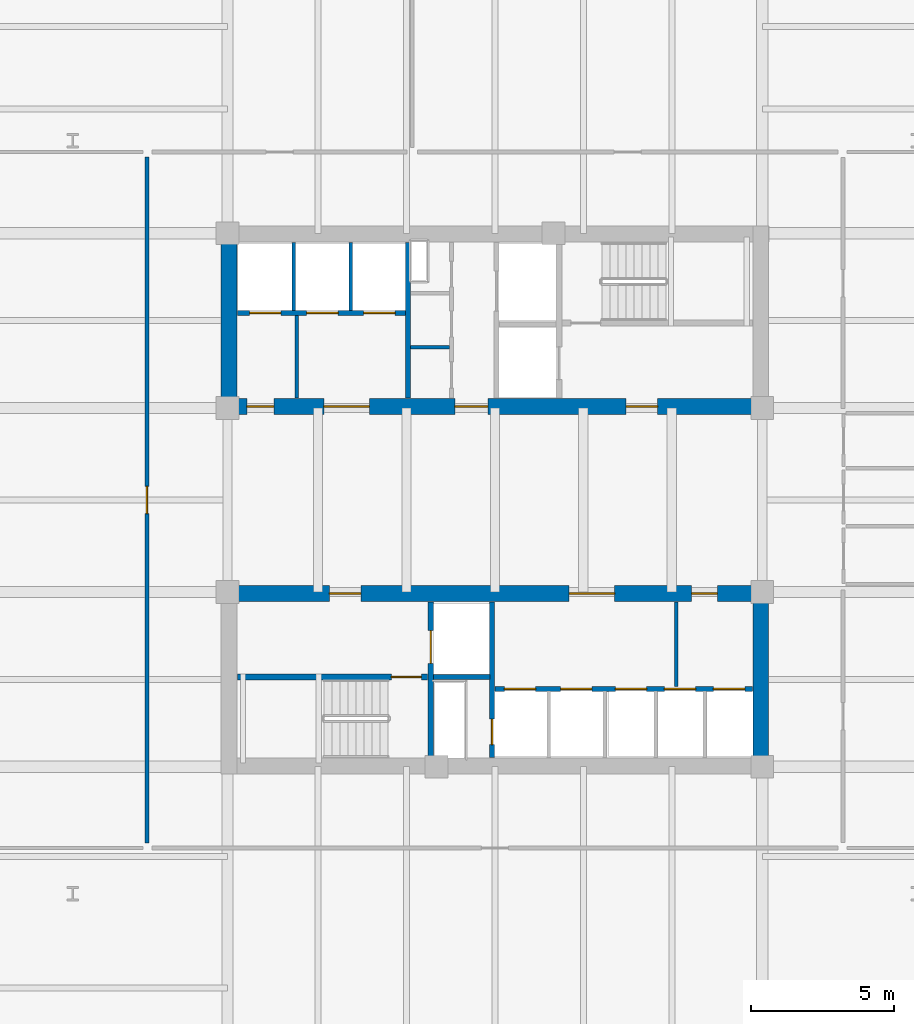
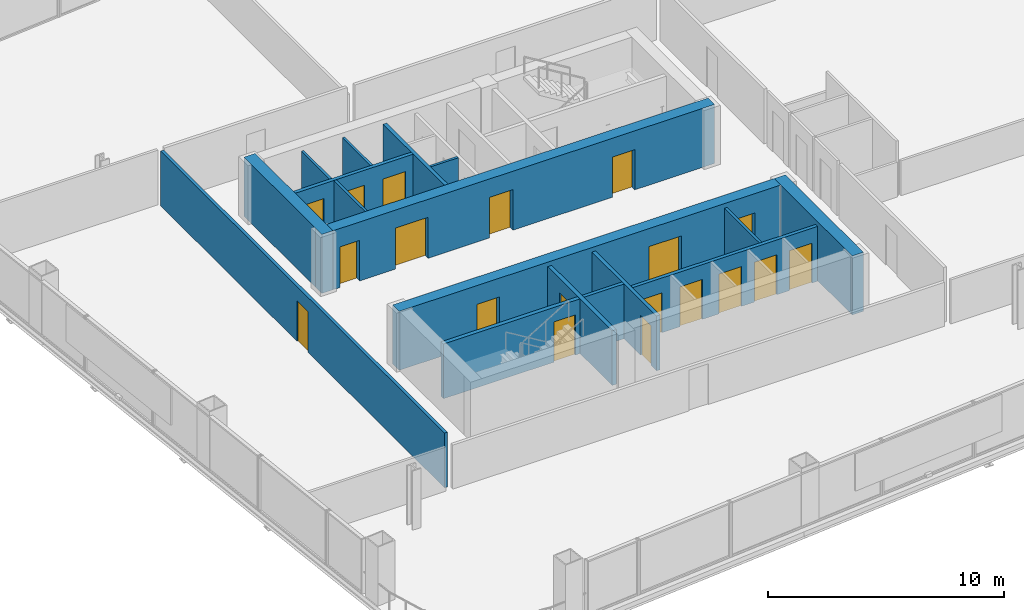
# One storey, part 22 of 27: 19 doors, 17 walls, 19 openings.
"""IFC4 building model written with IfcOpenShell, lengths in metres."""

from ifc_helpers import new_model, si_unit, direction, frame, frame_2d, origin, place, context, subcontext, project, spatial, rectangle, extrude, material, layer, layer_set, type_object, element, fill, save


model = new_model("IFC4")

# Units and contexts
model_context = context("Model", 3, precision=1e-05, world=origin(), true_north=direction((0.0, 1.0)))
body_context = subcontext(model_context, "Body", "Model", "MODEL_VIEW")
ifc_project = project(units=[si_unit("LENGTHUNIT", "METRE"), si_unit("AREAUNIT", "SQUARE_METRE"), si_unit("VOLUMEUNIT", "CUBIC_METRE"), si_unit("PLANEANGLEUNIT", "RADIAN"), si_unit("MASSUNIT", "GRAM", prefix="KILO")], contexts=[model_context])

# Site, building, storey
site_placement = place(None, origin())
site = spatial("IfcSite", under=ifc_project, at=site_placement, CompositionType="ELEMENT")
building_placement = place(site_placement, origin())
building = spatial("IfcBuilding", under=site, at=building_placement, Name="Qhalaya Broadcast Tower", CompositionType="ELEMENT")
storey_placement = place(building_placement, frame((0.0, 0.0, 75.550048828125)))
storey = spatial("IfcBuildingStorey", under=building, at=storey_placement, Name="L21", CompositionType="ELEMENT", Elevation=75.550048828125)

# Wall, opening, door
ifc_material_1 = material(Name="Gypsum Acoustic Partition")
ifc_layer_1 = layer(ifc_material_1, 0.14990234375, Name="Gypsum Acoustic Partition")
ifc_layer_set_1 = layer_set([ifc_layer_1], Name="Gypsum Acoustic Partition")
wall_type_1 = type_object("IfcWallType", Name="Corridor & Tenancy Acoustic Partition 150", PredefinedType="PARTITIONING", material=ifc_layer_set_1)
wall_1_placement = place(storey_placement, frame((-12.199951171875, -11.419921875, 0.0), z_axis=(0.0, 0.0, 1.0), x_axis=(0.0, 1.0, 0.0)))
wall_1 = element("IfcWall", 1, at=wall_1_placement, inside=storey, type_object=wall_type_1, Name="L21 Partition Wall W-COR-04", PredefinedType="PARTITIONING", context=body_context, shape_type="SweptSolid", body=[
    extrude(rectangle(XDim=24.0400390625, YDim=0.14990234375, at=frame_2d((12.02001953125, 0.0))), origin(), (0.0, 0.0, 1.0), 2.829833984375),
])
opening_1_placement = place(wall_1_placement, frame((11.544921875, 0.0, 0.0)))
opening_1 = element("IfcOpeningElement", 2, at=opening_1_placement, cuts=wall_1, Name="Opening D10", PredefinedType="OPENING", context=body_context, shape_type="SweptSolid", body=[
    extrude(rectangle(XDim=0.949951171875, YDim=2.10009765625, at=frame_2d((0.47509765625, 1.050048828125))), frame((0.0, 0.0869140625, 0.0), z_axis=(0.0, -1.0, 0.0), x_axis=(1.0, 0.0, 0.0)), (0.0, 0.0, 1.0), 0.173828125),
])
ifc_material_2 = material(Name="Timber Veneer Acoustic Door", Category="wood")
door_type_1 = type_object("IfcDoorType", Name="Cellular Office & Edit Booth Door D10", OperationType="NOTDEFINED", PredefinedType="DOOR", material=ifc_material_2)
door_1_placement = place(opening_1_placement, origin())
door_1 = element("IfcDoor", 3, at=door_1_placement, inside=storey, type_object=door_type_1, Name="L21 Door D-RM04", OperationType="SINGLE_SWING_RIGHT", OverallHeight=2.10009765625, OverallWidth=0.949951171875, PredefinedType="DOOR", context=body_context, shape_type="SweptSolid", body=[
    extrude(rectangle(XDim=0.949951171875, YDim=2.10009765625, at=frame_2d((0.47509765625, 1.050048828125))), frame((0.0, 0.02490234375, 0.0), z_axis=(0.0, -1.0, 0.0), x_axis=(1.0, 0.0, 0.0)), (0.0, 0.0, 1.0), 0.050048828125),
])
fill(opening_1, door_1)

ifc_material_3 = material(Name="Concrete C50/60", Category="concrete")
ifc_layer_2 = layer(ifc_material_3, 0.199951171875, Name="Concrete C50/60")
ifc_layer_set_2 = layer_set([ifc_layer_2], Name="Concrete C50/60")
wall_type_2 = type_object("IfcWallType", Name="Load-Bearing Stair Shaft Wall 200", PredefinedType="SHEAR", material=ifc_layer_set_2)
wall_2_placement = place(storey_placement, frame((-9.030029296875, -5.60498046875, 0.0), z_axis=(0.0, 0.0, 1.0), x_axis=(1.0, 0.0, 0.0)))
wall_2 = element("IfcWall", 4, at=wall_2_placement, inside=storey, type_object=wall_type_2, Name="L21 Stair Core Shear Wall SCW-ST2", PredefinedType="SHEAR", context=body_context, shape_type="SweptSolid", body=[
    extrude(rectangle(XDim=6.669921875, YDim=0.199951171875, at=frame_2d((3.3349609375, 0.0))), origin(), (0.0, 0.0, 1.0), 2.829833984375),
])
opening_2_placement = place(wall_2_placement, frame((5.39990234375, 0.0, 0.0)))
opening_2 = element("IfcOpeningElement", 5, at=opening_2_placement, cuts=wall_2, Name="Opening D03", PredefinedType="OPENING", context=body_context, shape_type="SweptSolid", body=[
    extrude(rectangle(XDim=1.050048828125, YDim=2.080078125, at=frame_2d((0.52490234375, 1.0400390625))), frame((0.0, 0.112060546875, 0.0), z_axis=(0.0, -1.0, 0.0), x_axis=(1.0, 0.0, 0.0)), (0.0, 0.0, 1.0), 0.223876953125),
])
ifc_material_4 = material(Name="Fire-Rated Steel Door", Category="steel")
door_type_2 = type_object("IfcDoorType", Name="Core Stair Protected Fire Door D03", OperationType="NOTDEFINED", PredefinedType="DOOR", material=ifc_material_4)
door_2_placement = place(opening_2_placement, origin())
door_2 = element("IfcDoor", 6, at=door_2_placement, inside=storey, type_object=door_type_2, Name="L21 Door D-SST2", OperationType="SINGLE_SWING_RIGHT", OverallHeight=2.080078125, OverallWidth=1.050048828125, PredefinedType="DOOR", context=body_context, shape_type="SweptSolid", body=[
    extrude(rectangle(XDim=1.050048828125, YDim=2.080078125, at=frame_2d((0.52490234375, 1.0400390625))), frame((0.0, 0.02490234375, 0.0), z_axis=(0.0, -1.0, 0.0), x_axis=(1.0, 0.0, 0.0)), (0.0, 0.0, 1.0), 0.050048828125),
])
fill(opening_2, door_2)

wall_3_placement = place(storey_placement, frame((-2.25, -8.429931640625, 0.0), z_axis=(0.0, 0.0, 1.0), x_axis=(0.0, 1.0, 0.0)))
wall_3 = element("IfcWall", 7, at=wall_3_placement, inside=storey, type_object=wall_type_2, Name="L21 Stair Core Shear Wall SCW-FF", PredefinedType="SHEAR", context=body_context, shape_type="SweptSolid", body=[
    extrude(rectangle(XDim=5.4599609375, YDim=0.199951171875, at=frame_2d((2.72998046875, 0.0))), origin(), (0.0, 0.0, 1.0), 2.829833984375),
])
opening_3_placement = place(wall_3_placement, frame((3.300048828125, 0.0, 0.0)))
opening_3 = element("IfcOpeningElement", 8, at=opening_3_placement, cuts=wall_3, Name="Opening LD2", PredefinedType="OPENING", context=body_context, shape_type="SweptSolid", body=[
    extrude(rectangle(XDim=1.14990234375, YDim=2.080078125, at=frame_2d((0.574951171875, 1.0400390625))), frame((0.0, 0.112060546875, 0.0), z_axis=(0.0, -1.0, 0.0), x_axis=(1.0, 0.0, 0.0)), (0.0, 0.0, 1.0), 0.223876953125),
])
ifc_material_5 = material(Name="Brushed Stainless Steel Lift Door", Category="steel")
door_type_3 = type_object("IfcDoorType", Name="Firefighting Lift Sliding Landing Door LD2", OperationType="DOUBLE_DOOR_SLIDING", PredefinedType="DOOR", material=ifc_material_5)
door_3_placement = place(opening_3_placement, origin())
door_3 = element("IfcDoor", 9, at=door_3_placement, inside=storey, type_object=door_type_3, Name="L21 Door LD-FF2", OperationType="DOUBLE_DOOR_SLIDING", OverallHeight=2.080078125, OverallWidth=1.14990234375, PredefinedType="DOOR", context=body_context, shape_type="SweptSolid", body=[
    extrude(rectangle(XDim=1.14990234375, YDim=2.080078125, at=frame_2d((0.574951171875, 1.0400390625))), frame((0.0, 0.02490234375, 0.0), z_axis=(0.0, -1.0, 0.0), x_axis=(1.0, 0.0, 0.0)), (0.0, 0.0, 1.0), 0.050048828125),
])
fill(opening_3, door_3)

# Wall, openings, doors
ifc_material_6 = material(Name="Concrete C60/75", Category="concrete")
ifc_layer_3 = layer(ifc_material_6, 0.550048828125, Name="Concrete C60/75")
ifc_layer_set_3 = layer_set([ifc_layer_3], Name="Concrete C60/75")
wall_type_3 = type_object("IfcWallType", Name="Lower Split-Core Shear Wall 550", PredefinedType="SHEAR", material=ifc_layer_set_3)
wall_4_placement = place(storey_placement, frame((-9.60009765625, 3.875, 0.0), z_axis=(0.0, 0.0, 1.0), x_axis=(1.0, 0.0, 0.0)))
wall_4 = element("IfcWall", 10, at=wall_4_placement, inside=storey, type_object=wall_type_3, Name="L21 Split-Core Shear Wall CW-NS", PredefinedType="SHEAR", context=body_context, shape_type="SweptSolid", body=[
    extrude(rectangle(XDim=19.2001953125, YDim=0.550048828125, at=frame_2d((9.60009765625, 0.0))), origin(), (0.0, 0.0, 1.0), 3.050048828125),
])
opening_4_placement = place(wall_4_placement, frame((14.199951171875, 0.0, 0.0)))
opening_4 = element("IfcOpeningElement", 11, at=opening_4_placement, cuts=wall_4, Name="Opening D04", PredefinedType="OPENING", context=body_context, shape_type="SweptSolid", body=[
    extrude(rectangle(XDim=1.10009765625, YDim=2.080078125, at=frame_2d((0.550048828125, 1.0400390625))), frame((0.0, 0.287109375, 0.0), z_axis=(0.0, -1.0, 0.0), x_axis=(1.0, 0.0, 0.0)), (0.0, 0.0, 1.0), 0.573974609375),
])
opening_5_placement = place(wall_4_placement, frame((8.199951171875, 0.0, 0.0)))
opening_5 = element("IfcOpeningElement", 12, at=opening_5_placement, cuts=wall_4, Name="Opening D05", PredefinedType="OPENING", context=body_context, shape_type="SweptSolid", body=[
    extrude(rectangle(XDim=1.14990234375, YDim=2.10009765625, at=frame_2d((0.574951171875, 1.050048828125))), frame((0.0, 0.287109375, 0.0), z_axis=(0.0, -1.0, 0.0), x_axis=(1.0, 0.0, 0.0)), (0.0, 0.0, 1.0), 0.573974609375),
])
opening_6_placement = place(wall_4_placement, frame((0.89990234375, 0.0, 0.0)))
opening_6 = element("IfcOpeningElement", 13, at=opening_6_placement, cuts=wall_4, Name="Opening D10", PredefinedType="OPENING", context=body_context, shape_type="SweptSolid", body=[
    extrude(rectangle(XDim=0.949951171875, YDim=2.10009765625, at=frame_2d((0.47509765625, 1.050048828125))), frame((0.0, 0.287109375, 0.0), z_axis=(0.0, -1.0, 0.0), x_axis=(1.0, 0.0, 0.0)), (0.0, 0.0, 1.0), 0.573974609375),
])
opening_7_placement = place(wall_4_placement, frame((3.60009765625, 0.0, 0.0)))
opening_7 = element("IfcOpeningElement", 14, at=opening_7_placement, cuts=wall_4, Name="Opening D07", PredefinedType="OPENING", context=body_context, shape_type="SweptSolid", body=[
    extrude(rectangle(XDim=1.60009765625, YDim=2.1201171875, at=frame_2d((0.800048828125, 1.06005859375))), frame((0.0, 0.287109375, 0.0), z_axis=(0.0, -1.0, 0.0), x_axis=(1.0, 0.0, 0.0)), (0.0, 0.0, 1.0), 0.573974609375),
])
door_4_placement = place(opening_6_placement, origin())
door_4 = element("IfcDoor", 15, at=door_4_placement, inside=storey, type_object=door_type_1, Name="L21 Door D-NLPNT", OperationType="SINGLE_SWING_RIGHT", OverallHeight=2.10009765625, OverallWidth=0.949951171875, PredefinedType="DOOR", context=body_context, shape_type="SweptSolid", body=[
    extrude(rectangle(XDim=0.949951171875, YDim=2.10009765625, at=frame_2d((0.47509765625, 1.050048828125))), frame((0.0, 0.02490234375, 0.0), z_axis=(0.0, -1.0, 0.0), x_axis=(1.0, 0.0, 0.0)), (0.0, 0.0, 1.0), 0.050048828125),
])
fill(opening_6, door_4)
door_type_4 = type_object("IfcDoorType", Name="Firefighting Lobby Rated Door D04", OperationType="NOTDEFINED", PredefinedType="DOOR", material=ifc_material_4)
door_5_placement = place(opening_4_placement, origin())
door_5 = element("IfcDoor", 16, at=door_5_placement, inside=storey, type_object=door_type_4, Name="L21 Door D-NFF", OperationType="SINGLE_SWING_RIGHT", OverallHeight=2.080078125, OverallWidth=1.10009765625, PredefinedType="DOOR", context=body_context, shape_type="SweptSolid", body=[
    extrude(rectangle(XDim=1.10009765625, YDim=2.080078125, at=frame_2d((0.550048828125, 1.0400390625))), frame((0.0, 0.02490234375, 0.0), z_axis=(0.0, -1.0, 0.0), x_axis=(1.0, 0.0, 0.0)), (0.0, 0.0, 1.0), 0.050048828125),
])
fill(opening_4, door_5)
ifc_material_7 = material(Name="Anodised Aluminium Glazed Door", Category="aluminium")
door_type_5 = type_object("IfcDoorType", Name="Passenger Lift Lobby Double Glazed Door D07", OperationType="DOUBLE_DOOR_SINGLE_SWING", PredefinedType="DOOR", material=ifc_material_7)
door_6_placement = place(opening_7_placement, origin())
door_6 = element("IfcDoor", 17, at=door_6_placement, inside=storey, type_object=door_type_5, Name="L21 Door D-NPLL", OperationType="DOUBLE_DOOR_SINGLE_SWING", OverallHeight=2.1201171875, OverallWidth=1.60009765625, PredefinedType="DOOR", context=body_context, shape_type="SweptSolid", body=[
    extrude(rectangle(XDim=1.60009765625, YDim=2.1201171875, at=frame_2d((0.800048828125, 1.06005859375))), frame((0.0, 0.02490234375, 0.0), z_axis=(0.0, -1.0, 0.0), x_axis=(1.0, 0.0, 0.0)), (0.0, 0.0, 1.0), 0.050048828125),
])
fill(opening_7, door_6)
door_type_6 = type_object("IfcDoorType", Name="Refuge & Plant Room Fire Door D05", OperationType="NOTDEFINED", PredefinedType="DOOR", material=ifc_material_4)
door_7_placement = place(opening_5_placement, origin())
door_7 = element("IfcDoor", 18, at=door_7_placement, inside=storey, type_object=door_type_6, Name="L21 Door D-NSVL", OperationType="SINGLE_SWING_LEFT", OverallHeight=2.10009765625, OverallWidth=1.14990234375, PredefinedType="DOOR", context=body_context, shape_type="SweptSolid", body=[
    extrude(rectangle(XDim=1.14990234375, YDim=2.10009765625, at=frame_2d((0.574951171875, 1.050048828125))), frame((0.0, 0.02490234375, 0.0), z_axis=(0.0, -1.0, 0.0), x_axis=(1.0, 0.0, 0.0)), (0.0, 0.0, 1.0), 0.050048828125),
])
fill(opening_5, door_7)

# Wall
wall_5_placement = place(storey_placement, frame((-9.324951171875, 3.60009765625, 0.0), z_axis=(0.0, 0.0, 1.0), x_axis=(0.0, 1.0, 0.0)))
element("IfcWall", 19, at=wall_5_placement, inside=storey, type_object=wall_type_3, Name="L21 Split-Core Shear Wall CW-NW", PredefinedType="SHEAR", context=body_context, shape_type="SweptSolid", body=[
    extrude(rectangle(XDim=6.599853515625, YDim=0.550048828125, at=frame_2d((3.2998046875, 0.0))), origin(), (0.0, 0.0, 1.0), 3.050048828125),
])

# Wall, openings, doors
wall_6_placement = place(storey_placement, frame((-9.60009765625, -2.675048828125, 0.0), z_axis=(0.0, 0.0, 1.0), x_axis=(1.0, 0.0, 0.0)))
wall_6 = element("IfcWall", 20, at=wall_6_placement, inside=storey, type_object=wall_type_3, Name="L21 Split-Core Shear Wall CW-SN", PredefinedType="SHEAR", context=body_context, shape_type="SweptSolid", body=[
    extrude(rectangle(XDim=19.2001953125, YDim=0.550048828125, at=frame_2d((9.60009765625, 0.0))), origin(), (0.0, 0.0, 1.0), 3.050048828125),
])
opening_8_placement = place(wall_6_placement, frame((3.800048828125, 0.0, 0.0)))
opening_8 = element("IfcOpeningElement", 21, at=opening_8_placement, cuts=wall_6, Name="Opening D04", PredefinedType="OPENING", context=body_context, shape_type="SweptSolid", body=[
    extrude(rectangle(XDim=1.10009765625, YDim=2.080078125, at=frame_2d((0.550048828125, 1.0400390625))), frame((0.0, 0.287109375, 0.0), z_axis=(0.0, -1.0, 0.0), x_axis=(1.0, 0.0, 0.0)), (0.0, 0.0, 1.0), 0.573974609375),
])
opening_9_placement = place(wall_6_placement, frame((12.199951171875, 0.0, 0.0)))
opening_9 = element("IfcOpeningElement", 22, at=opening_9_placement, cuts=wall_6, Name="Opening D07", PredefinedType="OPENING", context=body_context, shape_type="SweptSolid", body=[
    extrude(rectangle(XDim=1.60009765625, YDim=2.1201171875, at=frame_2d((0.800048828125, 1.06005859375))), frame((0.0, 0.287109375, 0.0), z_axis=(0.0, -1.0, 0.0), x_axis=(1.0, 0.0, 0.0)), (0.0, 0.0, 1.0), 0.573974609375),
])
opening_10_placement = place(wall_6_placement, frame((16.5, 0.0, 0.0)))
opening_10 = element("IfcOpeningElement", 23, at=opening_10_placement, cuts=wall_6, Name="Opening D06", PredefinedType="OPENING", context=body_context, shape_type="SweptSolid", body=[
    extrude(rectangle(XDim=0.89990234375, YDim=2.050048828125, at=frame_2d((0.449951171875, 1.02490234375))), frame((0.0, 0.287109375, 0.0), z_axis=(0.0, -1.0, 0.0), x_axis=(1.0, 0.0, 0.0)), (0.0, 0.0, 1.0), 0.573974609375),
])
door_8_placement = place(opening_8_placement, origin())
door_8 = element("IfcDoor", 24, at=door_8_placement, inside=storey, type_object=door_type_4, Name="L21 Door D-SFF", OperationType="SINGLE_SWING_LEFT", OverallHeight=2.080078125, OverallWidth=1.10009765625, PredefinedType="DOOR", context=body_context, shape_type="SweptSolid", body=[
    extrude(rectangle(XDim=1.10009765625, YDim=2.080078125, at=frame_2d((0.550048828125, 1.0400390625))), frame((0.0, 0.02490234375, 0.0), z_axis=(0.0, -1.0, 0.0), x_axis=(1.0, 0.0, 0.0)), (0.0, 0.0, 1.0), 0.050048828125),
])
fill(opening_8, door_8)
door_9_placement = place(opening_9_placement, origin())
door_9 = element("IfcDoor", 25, at=door_9_placement, inside=storey, type_object=door_type_5, Name="L21 Door D-SPLL", OperationType="DOUBLE_DOOR_SINGLE_SWING", OverallHeight=2.1201171875, OverallWidth=1.60009765625, PredefinedType="DOOR", context=body_context, shape_type="SweptSolid", body=[
    extrude(rectangle(XDim=1.60009765625, YDim=2.1201171875, at=frame_2d((0.800048828125, 1.06005859375))), frame((0.0, 0.02490234375, 0.0), z_axis=(0.0, -1.0, 0.0), x_axis=(1.0, 0.0, 0.0)), (0.0, 0.0, 1.0), 0.050048828125),
])
fill(opening_9, door_9)
door_type_7 = type_object("IfcDoorType", Name="Riser & Electrical Shaft Access Door D06", OperationType="NOTDEFINED", PredefinedType="DOOR", material=ifc_material_4)
door_10_placement = place(opening_10_placement, origin())
door_10 = element("IfcDoor", 26, at=door_10_placement, inside=storey, type_object=door_type_7, Name="L21 Door D-SSCST", OperationType="SINGLE_SWING_LEFT", OverallHeight=2.050048828125, OverallWidth=0.89990234375, PredefinedType="DOOR", context=body_context, shape_type="SweptSolid", body=[
    extrude(rectangle(XDim=0.89990234375, YDim=2.050048828125, at=frame_2d((0.449951171875, 1.02490234375))), frame((0.0, 0.02490234375, 0.0), z_axis=(0.0, -1.0, 0.0), x_axis=(1.0, 0.0, 0.0)), (0.0, 0.0, 1.0), 0.050048828125),
])
fill(opening_10, door_10)

# Walls
wall_7_placement = place(storey_placement, frame((9.324951171875, -9.0, 0.0), z_axis=(0.0, 0.0, 1.0), x_axis=(0.0, 1.0, 0.0)))
element("IfcWall", 27, at=wall_7_placement, inside=storey, type_object=wall_type_3, Name="L21 Split-Core Shear Wall CW-SE", PredefinedType="SHEAR", context=body_context, shape_type="SweptSolid", body=[
    extrude(rectangle(XDim=6.60009765625, YDim=0.550048828125, at=frame_2d((3.300048828125, 0.0))), origin(), (0.0, 0.0, 1.0), 3.050048828125),
])
ifc_layer_4 = layer(ifc_material_1, 0.1201171875, Name="Gypsum Acoustic Partition")
ifc_layer_set_4 = layer_set([ifc_layer_4], Name="Gypsum Acoustic Partition")
wall_type_4 = type_object("IfcWallType", Name="Office, Booth & Sanitary Partition 120", PredefinedType="PARTITIONING", material=ifc_layer_set_4)
wall_8_placement = place(storey_placement, frame((-2.9599609375, 5.949951171875, 0.0), z_axis=(0.0, 0.0, 1.0), x_axis=(1.0, 0.0, 0.0)))
element("IfcWall", 28, at=wall_8_placement, inside=storey, type_object=wall_type_4, Name="L21 Partition Wall NCW-VB1", PredefinedType="PARTITIONING", context=body_context, shape_type="SweptSolid", body=[
    extrude(rectangle(XDim=1.35986328125, YDim=0.1201171875, at=frame_2d((0.679931640625, 0.0))), origin(), (0.0, 0.0, 1.0), 2.829833984375),
])
for number, where, z_axis, x_axis, name in (
    (29, (-7.06005859375, 7.25, 0.0), (0.0, 0.0, 1.0), (0.0, 1.0, 0.0), "L21 Partition Wall NCW-PD1"),
    (30, (-5.06005859375, 7.25, 0.0), (0.0, 0.0, 1.0), (0.0, 1.0, 0.0), "L21 Partition Wall NCW-PD2"),
):
    element("IfcWall", number, at=place(storey_placement, frame(where, z_axis=z_axis, x_axis=x_axis)), inside=storey, type_object=wall_type_4, Name=name, PredefinedType="PARTITIONING", context=body_context, shape_type="SweptSolid", body=[
        extrude(rectangle(XDim=2.3798828125, YDim=0.1201171875, at=frame_2d((1.18994140625, 0.0))), origin(), (0.0, 0.0, 1.0), 2.829833984375),
    ])
wall_9_placement = place(storey_placement, frame((-6.949951171875, 4.169921875, 0.0), z_axis=(0.0, 0.0, 1.0), x_axis=(0.0, 1.0, 0.0)))
element("IfcWall", 31, at=wall_9_placement, inside=storey, type_object=wall_type_4, Name="L21 Partition Wall NCW-LKB", PredefinedType="PARTITIONING", context=body_context, shape_type="SweptSolid", body=[
    extrude(rectangle(XDim=2.89013671875, YDim=0.1201171875, at=frame_2d((1.445068359375, 0.0))), origin(), (0.0, 0.0, 1.0), 2.829833984375),
])
wall_10_placement = place(storey_placement, frame((6.35009765625, -5.93994140625, 0.0), z_axis=(0.0, 0.0, 1.0), x_axis=(0.0, 1.0, 0.0)))
element("IfcWall", 32, at=wall_10_placement, inside=storey, type_object=wall_type_4, Name="L21 Partition Wall SCW-LKB", PredefinedType="PARTITIONING", context=body_context, shape_type="SweptSolid", body=[
    extrude(rectangle(XDim=2.969970703125, YDim=0.1201171875, at=frame_2d((1.48486328125, 0.0))), origin(), (0.0, 0.0, 1.0), 2.829833984375),
])
ifc_layer_5 = layer(ifc_material_1, 0.175048828125, Name="Gypsum Acoustic Partition")
ifc_layer_set_5 = layer_set([ifc_layer_5], Name="Gypsum Acoustic Partition")
wall_type_5 = type_object("IfcWallType", Name="Shaft & Riser Fire Partition 175", PredefinedType="PARTITIONING", material=ifc_layer_set_5)
wall_11_placement = place(storey_placement, frame((-3.0400390625, 4.169921875, 0.0), z_axis=(0.0, 0.0, 1.0), x_axis=(0.0, 1.0, 0.0)))
element("IfcWall", 33, at=wall_11_placement, inside=storey, type_object=wall_type_5, Name="L21 Partition Wall NCW-VRW", PredefinedType="PARTITIONING", context=body_context, shape_type="SweptSolid", body=[
    extrude(rectangle(XDim=5.4599609375, YDim=0.175048828125, at=frame_2d((2.72998046875, 0.0))), origin(), (0.0, 0.0, 1.0), 2.829833984375),
])

# Wall, openings, doors
wall_12_placement = place(storey_placement, frame((-9.030029296875, 7.159912109375, 0.0), z_axis=(0.0, 0.0, 1.0), x_axis=(1.0, 0.0, 0.0)))
wall_12 = element("IfcWall", 34, at=wall_12_placement, inside=storey, type_object=wall_type_5, Name="L21 Partition Wall NCW-PLB", PredefinedType="PARTITIONING", context=body_context, shape_type="SweptSolid", body=[
    extrude(rectangle(XDim=5.909912109375, YDim=0.175048828125, at=frame_2d((2.955078125, 0.0))), origin(), (0.0, 0.0, 1.0), 2.829833984375),
])
opening_11_placement = place(wall_12_placement, frame((0.429931640625, 0.0, 0.0)))
opening_11 = element("IfcOpeningElement", 35, at=opening_11_placement, cuts=wall_12, Name="Opening LD1", PredefinedType="OPENING", context=body_context, shape_type="SweptSolid", body=[
    extrude(rectangle(XDim=1.10009765625, YDim=2.06005859375, at=frame_2d((0.550048828125, 1.030029296875))), frame((0.0, 0.099609375, 0.0), z_axis=(0.0, -1.0, 0.0), x_axis=(1.0, 0.0, 0.0)), (0.0, 0.0, 1.0), 0.198974609375),
])
opening_12_placement = place(wall_12_placement, frame((2.429931640625, 0.0, 0.0)))
opening_12 = element("IfcOpeningElement", 36, at=opening_12_placement, cuts=wall_12, Name="Opening LD1", PredefinedType="OPENING", context=body_context, shape_type="SweptSolid", body=[
    extrude(rectangle(XDim=1.10009765625, YDim=2.06005859375, at=frame_2d((0.550048828125, 1.030029296875))), frame((0.0, 0.099609375, 0.0), z_axis=(0.0, -1.0, 0.0), x_axis=(1.0, 0.0, 0.0)), (0.0, 0.0, 1.0), 0.198974609375),
])
opening_13_placement = place(wall_12_placement, frame((4.429931640625, 0.0, 0.0)))
opening_13 = element("IfcOpeningElement", 37, at=opening_13_placement, cuts=wall_12, Name="Opening LD1", PredefinedType="OPENING", context=body_context, shape_type="SweptSolid", body=[
    extrude(rectangle(XDim=1.10009765625, YDim=2.06005859375, at=frame_2d((0.550048828125, 1.030029296875))), frame((0.0, 0.099609375, 0.0), z_axis=(0.0, -1.0, 0.0), x_axis=(1.0, 0.0, 0.0)), (0.0, 0.0, 1.0), 0.198974609375),
])
door_type_8 = type_object("IfcDoorType", Name="Passenger Lift Sliding Landing Door LD1", OperationType="DOUBLE_DOOR_SLIDING", PredefinedType="DOOR", material=ifc_material_5)
door_11_placement = place(opening_11_placement, origin())
door_11 = element("IfcDoor", 38, at=door_11_placement, inside=storey, type_object=door_type_8, Name="L21 Door LD-P1", OperationType="DOUBLE_DOOR_SLIDING", OverallHeight=2.06005859375, OverallWidth=1.10009765625, PredefinedType="DOOR", context=body_context, shape_type="SweptSolid", body=[
    extrude(rectangle(XDim=1.10009765625, YDim=2.06005859375, at=frame_2d((0.550048828125, 1.030029296875))), frame((0.0, 0.02490234375, 0.0), z_axis=(0.0, -1.0, 0.0), x_axis=(1.0, 0.0, 0.0)), (0.0, 0.0, 1.0), 0.050048828125),
])
fill(opening_11, door_11)
door_12_placement = place(opening_12_placement, origin())
door_12 = element("IfcDoor", 39, at=door_12_placement, inside=storey, type_object=door_type_8, Name="L21 Door LD-P2", OperationType="DOUBLE_DOOR_SLIDING", OverallHeight=2.06005859375, OverallWidth=1.10009765625, PredefinedType="DOOR", context=body_context, shape_type="SweptSolid", body=[
    extrude(rectangle(XDim=1.10009765625, YDim=2.06005859375, at=frame_2d((0.550048828125, 1.030029296875))), frame((0.0, 0.02490234375, 0.0), z_axis=(0.0, -1.0, 0.0), x_axis=(1.0, 0.0, 0.0)), (0.0, 0.0, 1.0), 0.050048828125),
])
fill(opening_12, door_12)
door_13_placement = place(opening_13_placement, origin())
door_13 = element("IfcDoor", 40, at=door_13_placement, inside=storey, type_object=door_type_8, Name="L21 Door LD-P3", OperationType="DOUBLE_DOOR_SLIDING", OverallHeight=2.06005859375, OverallWidth=1.10009765625, PredefinedType="DOOR", context=body_context, shape_type="SweptSolid", body=[
    extrude(rectangle(XDim=1.10009765625, YDim=2.06005859375, at=frame_2d((0.550048828125, 1.030029296875))), frame((0.0, 0.02490234375, 0.0), z_axis=(0.0, -1.0, 0.0), x_axis=(1.0, 0.0, 0.0)), (0.0, 0.0, 1.0), 0.050048828125),
])
fill(opening_13, door_13)

# Wall, opening, door
wall_13_placement = place(storey_placement, frame((-0.10009765625, -8.429931640625, 0.0), z_axis=(0.0, 0.0, 1.0), x_axis=(0.0, 1.0, 0.0)))
wall_13 = element("IfcWall", 41, at=wall_13_placement, inside=storey, type_object=wall_type_5, Name="L21 Partition Wall SCW-FFE", PredefinedType="PARTITIONING", context=body_context, shape_type="SweptSolid", body=[
    extrude(rectangle(XDim=5.4599609375, YDim=0.175048828125, at=frame_2d((2.72998046875, 0.0))), origin(), (0.0, 0.0, 1.0), 2.829833984375),
])
opening_14_placement = place(wall_13_placement, frame((0.449951171875, 0.0, 0.0)))
opening_14 = element("IfcOpeningElement", 42, at=opening_14_placement, cuts=wall_13, Name="Opening D06", PredefinedType="OPENING", context=body_context, shape_type="SweptSolid", body=[
    extrude(rectangle(XDim=0.89990234375, YDim=2.050048828125, at=frame_2d((0.449951171875, 1.02490234375))), frame((0.0, 0.099609375, 0.0), z_axis=(0.0, -1.0, 0.0), x_axis=(1.0, 0.0, 0.0)), (0.0, 0.0, 1.0), 0.198974609375),
])
door_14_placement = place(opening_14_placement, origin())
door_14 = element("IfcDoor", 43, at=door_14_placement, inside=storey, type_object=door_type_7, Name="L21 Riser Shaft Access Door D-SRSR", OperationType="SINGLE_SWING_LEFT", OverallHeight=2.050048828125, OverallWidth=0.89990234375, PredefinedType="DOOR", context=body_context, shape_type="SweptSolid", body=[
    extrude(rectangle(XDim=0.89990234375, YDim=2.050048828125, at=frame_2d((0.449951171875, 1.02490234375))), frame((0.0, 0.02490234375, 0.0), z_axis=(0.0, -1.0, 0.0), x_axis=(1.0, 0.0, 0.0)), (0.0, 0.0, 1.0), 0.050048828125),
])
fill(opening_14, door_14)

# Wall
wall_14_placement = place(storey_placement, frame((-2.14990234375, -5.60009765625, 0.0), z_axis=(0.0, 0.0, 1.0), x_axis=(1.0, 0.0, 0.0)))
element("IfcWall", 44, at=wall_14_placement, inside=storey, type_object=wall_type_5, Name="L21 Partition Wall SCW-FFM", PredefinedType="PARTITIONING", context=body_context, shape_type="SweptSolid", body=[
    extrude(rectangle(XDim=1.969970703125, YDim=0.175048828125, at=frame_2d((0.98486328125, 0.0))), origin(), (0.0, 0.0, 1.0), 2.829833984375),
])

# Wall, openings, doors
wall_15_placement = place(storey_placement, frame((0.0, -6.02001953125, 0.0), z_axis=(0.0, 0.0, 1.0), x_axis=(1.0, 0.0, 0.0)))
wall_15 = element("IfcWall", 45, at=wall_15_placement, inside=storey, type_object=wall_type_5, Name="L21 Partition Wall SCW-SLB", PredefinedType="PARTITIONING", context=body_context, shape_type="SweptSolid", body=[
    extrude(rectangle(XDim=9.030029296875, YDim=0.175048828125, at=frame_2d((4.51513671875, 0.0))), origin(), (0.0, 0.0, 1.0), 2.829833984375),
])
opening_15_placement = place(wall_15_placement, frame((0.330078125, 0.0, 0.0)))
opening_15 = element("IfcOpeningElement", 46, at=opening_15_placement, cuts=wall_15, Name="Opening LD1", PredefinedType="OPENING", context=body_context, shape_type="SweptSolid", body=[
    extrude(rectangle(XDim=1.10009765625, YDim=2.06005859375, at=frame_2d((0.550048828125, 1.030029296875))), frame((0.0, 0.099609375, 0.0), z_axis=(0.0, -1.0, 0.0), x_axis=(1.0, 0.0, 0.0)), (0.0, 0.0, 1.0), 0.198974609375),
])
opening_16_placement = place(wall_15_placement, frame((2.300048828125, 0.0, 0.0)))
opening_16 = element("IfcOpeningElement", 47, at=opening_16_placement, cuts=wall_15, Name="Opening LD1", PredefinedType="OPENING", context=body_context, shape_type="SweptSolid", body=[
    extrude(rectangle(XDim=1.10009765625, YDim=2.06005859375, at=frame_2d((0.550048828125, 1.030029296875))), frame((0.0, 0.099609375, 0.0), z_axis=(0.0, -1.0, 0.0), x_axis=(1.0, 0.0, 0.0)), (0.0, 0.0, 1.0), 0.198974609375),
])
opening_17_placement = place(wall_15_placement, frame((4.219970703125, 0.0, 0.0)))
opening_17 = element("IfcOpeningElement", 48, at=opening_17_placement, cuts=wall_15, Name="Opening LD1", PredefinedType="OPENING", context=body_context, shape_type="SweptSolid", body=[
    extrude(rectangle(XDim=1.10009765625, YDim=2.06005859375, at=frame_2d((0.550048828125, 1.030029296875))), frame((0.0, 0.099609375, 0.0), z_axis=(0.0, -1.0, 0.0), x_axis=(1.0, 0.0, 0.0)), (0.0, 0.0, 1.0), 0.198974609375),
])
opening_18_placement = place(wall_15_placement, frame((5.93994140625, 0.0, 0.0)))
opening_18 = element("IfcOpeningElement", 49, at=opening_18_placement, cuts=wall_15, Name="Opening LD1", PredefinedType="OPENING", context=body_context, shape_type="SweptSolid", body=[
    extrude(rectangle(XDim=1.10009765625, YDim=2.06005859375, at=frame_2d((0.550048828125, 1.030029296875))), frame((0.0, 0.099609375, 0.0), z_axis=(0.0, -1.0, 0.0), x_axis=(1.0, 0.0, 0.0)), (0.0, 0.0, 1.0), 0.198974609375),
])
opening_19_placement = place(wall_15_placement, frame((7.659912109375, 0.0, 0.0)))
opening_19 = element("IfcOpeningElement", 50, at=opening_19_placement, cuts=wall_15, Name="Opening LD1", PredefinedType="OPENING", context=body_context, shape_type="SweptSolid", body=[
    extrude(rectangle(XDim=1.10009765625, YDim=2.06005859375, at=frame_2d((0.550048828125, 1.030029296875))), frame((0.0, 0.099609375, 0.0), z_axis=(0.0, -1.0, 0.0), x_axis=(1.0, 0.0, 0.0)), (0.0, 0.0, 1.0), 0.198974609375),
])
door_15_placement = place(opening_15_placement, origin())
door_15 = element("IfcDoor", 51, at=door_15_placement, inside=storey, type_object=door_type_8, Name="L21 Door LD-P4", OperationType="DOUBLE_DOOR_SLIDING", OverallHeight=2.06005859375, OverallWidth=1.10009765625, PredefinedType="DOOR", context=body_context, shape_type="SweptSolid", body=[
    extrude(rectangle(XDim=1.10009765625, YDim=2.06005859375, at=frame_2d((0.550048828125, 1.030029296875))), frame((0.0, 0.02490234375, 0.0), z_axis=(0.0, -1.0, 0.0), x_axis=(1.0, 0.0, 0.0)), (0.0, 0.0, 1.0), 0.050048828125),
])
fill(opening_15, door_15)
door_16_placement = place(opening_16_placement, origin())
door_16 = element("IfcDoor", 52, at=door_16_placement, inside=storey, type_object=door_type_8, Name="L21 Door LD-P5", OperationType="DOUBLE_DOOR_SLIDING", OverallHeight=2.06005859375, OverallWidth=1.10009765625, PredefinedType="DOOR", context=body_context, shape_type="SweptSolid", body=[
    extrude(rectangle(XDim=1.10009765625, YDim=2.06005859375, at=frame_2d((0.550048828125, 1.030029296875))), frame((0.0, 0.02490234375, 0.0), z_axis=(0.0, -1.0, 0.0), x_axis=(1.0, 0.0, 0.0)), (0.0, 0.0, 1.0), 0.050048828125),
])
fill(opening_16, door_16)
door_17_placement = place(opening_17_placement, origin())
door_17 = element("IfcDoor", 53, at=door_17_placement, inside=storey, type_object=door_type_8, Name="L21 Door LD-P6", OperationType="DOUBLE_DOOR_SLIDING", OverallHeight=2.06005859375, OverallWidth=1.10009765625, PredefinedType="DOOR", context=body_context, shape_type="SweptSolid", body=[
    extrude(rectangle(XDim=1.10009765625, YDim=2.06005859375, at=frame_2d((0.550048828125, 1.030029296875))), frame((0.0, 0.02490234375, 0.0), z_axis=(0.0, -1.0, 0.0), x_axis=(1.0, 0.0, 0.0)), (0.0, 0.0, 1.0), 0.050048828125),
])
fill(opening_17, door_17)
door_18_placement = place(opening_18_placement, origin())
door_18 = element("IfcDoor", 54, at=door_18_placement, inside=storey, type_object=door_type_8, Name="L21 Door LD-P7", OperationType="DOUBLE_DOOR_SLIDING", OverallHeight=2.06005859375, OverallWidth=1.10009765625, PredefinedType="DOOR", context=body_context, shape_type="SweptSolid", body=[
    extrude(rectangle(XDim=1.10009765625, YDim=2.06005859375, at=frame_2d((0.550048828125, 1.030029296875))), frame((0.0, 0.02490234375, 0.0), z_axis=(0.0, -1.0, 0.0), x_axis=(1.0, 0.0, 0.0)), (0.0, 0.0, 1.0), 0.050048828125),
])
fill(opening_18, door_18)
door_19_placement = place(opening_19_placement, origin())
door_19 = element("IfcDoor", 55, at=door_19_placement, inside=storey, type_object=door_type_8, Name="L21 Door LD-P8", OperationType="DOUBLE_DOOR_SLIDING", OverallHeight=2.06005859375, OverallWidth=1.10009765625, PredefinedType="DOOR", context=body_context, shape_type="SweptSolid", body=[
    extrude(rectangle(XDim=1.10009765625, YDim=2.06005859375, at=frame_2d((0.550048828125, 1.030029296875))), frame((0.0, 0.02490234375, 0.0), z_axis=(0.0, -1.0, 0.0), x_axis=(1.0, 0.0, 0.0)), (0.0, 0.0, 1.0), 0.050048828125),
])
fill(opening_19, door_19)

save(model, "model.ifc")
